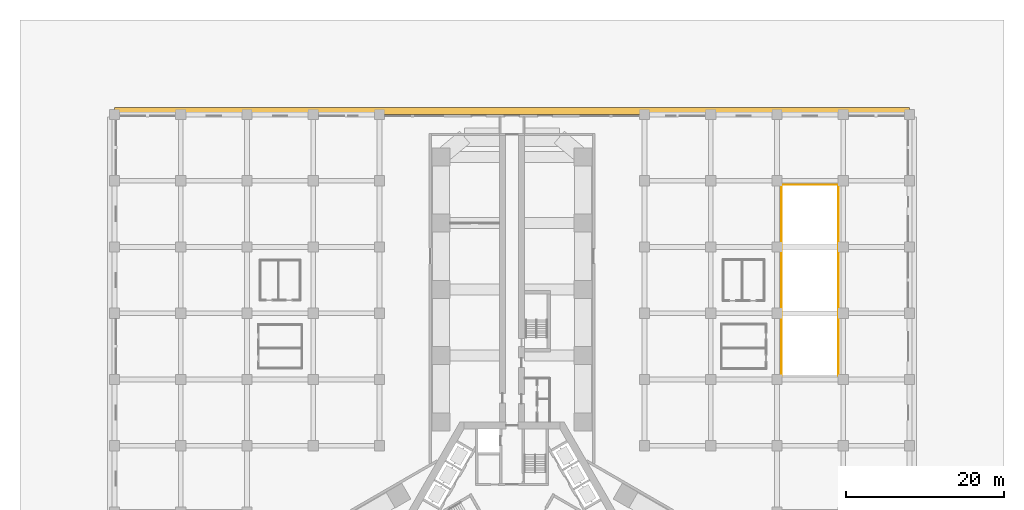
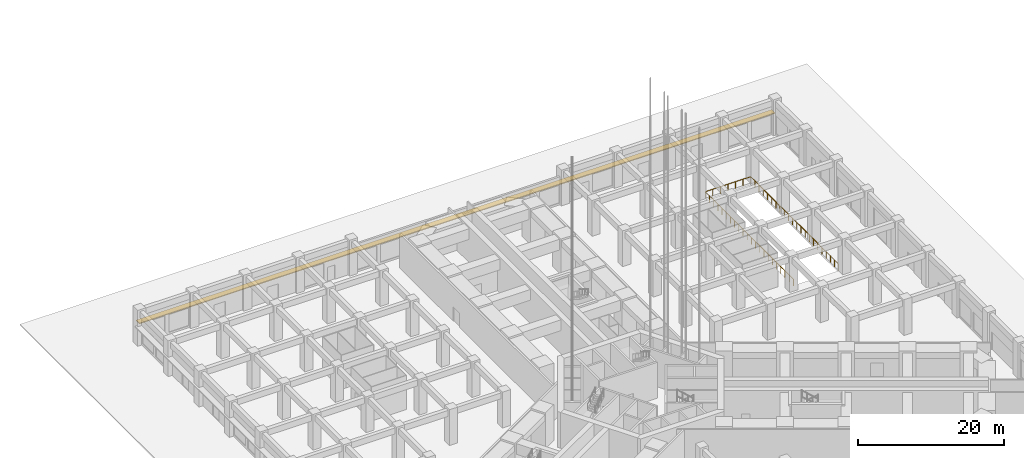
# One storey, part 20 of 33: 1 railing, 1 shading device.
"""IFC4 building model written with IfcOpenShell, lengths in metres."""

from ifc_helpers import new_model, si_unit, direction, frame, origin, origin_2d, place, context, subcontext, project, spatial, rectangle, circle, extrude, material, layer, layer_set, type_object, element, save


model = new_model("IFC4")

# Units and contexts
model_context = context("Model", 3, precision=1e-05, world=origin(), true_north=direction((0.0, 1.0)))
body_context = subcontext(model_context, "Body", "Model", "MODEL_VIEW")
ifc_project = project(units=[si_unit("LENGTHUNIT", "METRE"), si_unit("AREAUNIT", "SQUARE_METRE"), si_unit("VOLUMEUNIT", "CUBIC_METRE"), si_unit("PLANEANGLEUNIT", "RADIAN"), si_unit("MASSUNIT", "GRAM", prefix="KILO")], contexts=[model_context])

# Site, building, storey
site_placement = place(None, origin())
site = spatial("IfcSite", under=ifc_project, at=site_placement, CompositionType="ELEMENT")
building_placement = place(site_placement, origin())
building = spatial("IfcBuilding", under=site, at=building_placement, Name="Impinga Residences", CompositionType="ELEMENT")
storey_placement = place(building_placement, origin())
storey = spatial("IfcBuildingStorey", under=building, at=storey_placement, Name="L00", CompositionType="ELEMENT", Elevation=0.0)

# Railing
ifc_material_1 = material(Name="Steel guard, galvanised", Category="steel")
railing_type = type_object("IfcRailingType", Name="GR2 ramp and opening guard 1100", PredefinedType="GUARDRAIL", material=ifc_material_1)
railing_placement = place(storey_placement, frame((34.199951171875, 17.300048828125, 0.0)))
element("IfcRailing", 1, at=railing_placement, inside=storey, type_object=railing_type, Name="Opening guard GR2 L00", PredefinedType="GUARDRAIL", context=body_context, shape_type="SweptSolid", body=[
    extrude(circle(Radius=0.02392578125, at=origin_2d()), frame((0.0, 0.0, 1.076171875), z_axis=(0.0, 1.0, 0.0), x_axis=(-1.0, 0.0, 0.0)), (0.0, 0.0, 1.0), 24.199951171875),
    extrude(circle(Radius=0.02392578125, at=origin_2d()), frame((0.0, 24.199951171875, 1.076171875), z_axis=(1.0, 0.0, 0.0), x_axis=(0.0, 1.0, 0.0)), (0.0, 0.0, 1.0), 7.199951171875),
    extrude(circle(Radius=0.02392578125, at=origin_2d()), frame((7.199951171875, 24.199951171875, 1.076171875), z_axis=(0.0, -1.0, 0.0), x_axis=(1.0, 0.0, 0.0)), (0.0, 0.0, 1.0), 24.199951171875),
    extrude(circle(Radius=0.02099609375, at=origin_2d()), origin(), (0.0, 0.0, 1.0), 1.052001953125),
    extrude(circle(Radius=0.02099609375, at=origin_2d()), frame((0.0, 1.15234375, 0.0)), (0.0, 0.0, 1.0), 1.052001953125),
    extrude(circle(Radius=0.02099609375, at=origin_2d()), frame((0.0, 2.3046875, 0.0)), (0.0, 0.0, 1.0), 1.052001953125),
    extrude(circle(Radius=0.02099609375, at=origin_2d()), frame((0.0, 3.45703125, 0.0)), (0.0, 0.0, 1.0), 1.052001953125),
    extrude(circle(Radius=0.02099609375, at=origin_2d()), frame((0.0, 4.609619140625, 0.0)), (0.0, 0.0, 1.0), 1.052001953125),
    extrude(circle(Radius=0.02099609375, at=origin_2d()), frame((0.0, 5.761962890625, 0.0)), (0.0, 0.0, 1.0), 1.052001953125),
    extrude(circle(Radius=0.02099609375, at=origin_2d()), frame((0.0, 6.914306640625, 0.0)), (0.0, 0.0, 1.0), 1.052001953125),
    extrude(circle(Radius=0.02099609375, at=origin_2d()), frame((0.0, 8.066650390625, 0.0)), (0.0, 0.0, 1.0), 1.052001953125),
    extrude(circle(Radius=0.02099609375, at=origin_2d()), frame((0.0, 9.218994140625, 0.0)), (0.0, 0.0, 1.0), 1.052001953125),
    extrude(circle(Radius=0.02099609375, at=origin_2d()), frame((0.0, 10.371337890625, 0.0)), (0.0, 0.0, 1.0), 1.052001953125),
    extrude(circle(Radius=0.02099609375, at=origin_2d()), frame((0.0, 11.523681640625, 0.0)), (0.0, 0.0, 1.0), 1.052001953125),
    extrude(circle(Radius=0.02099609375, at=origin_2d()), frame((0.0, 12.67626953125, 0.0)), (0.0, 0.0, 1.0), 1.052001953125),
    extrude(circle(Radius=0.02099609375, at=origin_2d()), frame((0.0, 13.82861328125, 0.0)), (0.0, 0.0, 1.0), 1.052001953125),
    extrude(circle(Radius=0.02099609375, at=origin_2d()), frame((0.0, 14.98095703125, 0.0)), (0.0, 0.0, 1.0), 1.052001953125),
    extrude(circle(Radius=0.02099609375, at=origin_2d()), frame((0.0, 16.13330078125, 0.0)), (0.0, 0.0, 1.0), 1.052001953125),
    extrude(circle(Radius=0.02099609375, at=origin_2d()), frame((0.0, 17.28564453125, 0.0)), (0.0, 0.0, 1.0), 1.052001953125),
    extrude(circle(Radius=0.02099609375, at=origin_2d()), frame((0.0, 18.43798828125, 0.0)), (0.0, 0.0, 1.0), 1.052001953125),
    extrude(circle(Radius=0.02099609375, at=origin_2d()), frame((0.0, 19.59033203125, 0.0)), (0.0, 0.0, 1.0), 1.052001953125),
    extrude(circle(Radius=0.02099609375, at=origin_2d()), frame((0.0, 20.742919921875, 0.0)), (0.0, 0.0, 1.0), 1.052001953125),
    extrude(circle(Radius=0.02099609375, at=origin_2d()), frame((0.0, 21.895263671875, 0.0)), (0.0, 0.0, 1.0), 1.052001953125),
    extrude(circle(Radius=0.02099609375, at=origin_2d()), frame((0.0, 23.047607421875, 0.0)), (0.0, 0.0, 1.0), 1.052001953125),
    extrude(circle(Radius=0.02099609375, at=origin_2d()), frame((0.0, 24.199951171875, 0.0)), (0.0, 0.0, 1.0), 1.052001953125),
    extrude(circle(Radius=0.02099609375, at=origin_2d()), frame((1.199951171875, 24.199951171875, 0.0)), (0.0, 0.0, 1.0), 1.052001953125),
    extrude(circle(Radius=0.02099609375, at=origin_2d()), frame((2.39990234375, 24.199951171875, 0.0)), (0.0, 0.0, 1.0), 1.052001953125),
    extrude(circle(Radius=0.02099609375, at=origin_2d()), frame((3.60009765625, 24.199951171875, 0.0)), (0.0, 0.0, 1.0), 1.052001953125),
    extrude(circle(Radius=0.02099609375, at=origin_2d()), frame((4.800048828125, 24.199951171875, 0.0)), (0.0, 0.0, 1.0), 1.052001953125),
    extrude(circle(Radius=0.02099609375, at=origin_2d()), frame((6.0, 24.199951171875, 0.0)), (0.0, 0.0, 1.0), 1.052001953125),
    extrude(circle(Radius=0.02099609375, at=origin_2d()), frame((7.199951171875, 24.199951171875, 0.0)), (0.0, 0.0, 1.0), 1.052001953125),
    extrude(circle(Radius=0.02099609375, at=origin_2d()), frame((7.199951171875, 23.047607421875, 0.0)), (0.0, 0.0, 1.0), 1.052001953125),
    extrude(circle(Radius=0.02099609375, at=origin_2d()), frame((7.199951171875, 21.895263671875, 0.0)), (0.0, 0.0, 1.0), 1.052001953125),
    extrude(circle(Radius=0.02099609375, at=origin_2d()), frame((7.199951171875, 20.742919921875, 0.0)), (0.0, 0.0, 1.0), 1.052001953125),
    extrude(circle(Radius=0.02099609375, at=origin_2d()), frame((7.199951171875, 19.59033203125, 0.0)), (0.0, 0.0, 1.0), 1.052001953125),
    extrude(circle(Radius=0.02099609375, at=origin_2d()), frame((7.199951171875, 18.43798828125, 0.0)), (0.0, 0.0, 1.0), 1.052001953125),
    extrude(circle(Radius=0.02099609375, at=origin_2d()), frame((7.199951171875, 17.28564453125, 0.0)), (0.0, 0.0, 1.0), 1.052001953125),
    extrude(circle(Radius=0.02099609375, at=origin_2d()), frame((7.199951171875, 16.13330078125, 0.0)), (0.0, 0.0, 1.0), 1.052001953125),
    extrude(circle(Radius=0.02099609375, at=origin_2d()), frame((7.199951171875, 14.98095703125, 0.0)), (0.0, 0.0, 1.0), 1.052001953125),
    extrude(circle(Radius=0.02099609375, at=origin_2d()), frame((7.199951171875, 13.82861328125, 0.0)), (0.0, 0.0, 1.0), 1.052001953125),
    extrude(circle(Radius=0.02099609375, at=origin_2d()), frame((7.199951171875, 12.67626953125, 0.0)), (0.0, 0.0, 1.0), 1.052001953125),
    extrude(circle(Radius=0.02099609375, at=origin_2d()), frame((7.199951171875, 11.523681640625, 0.0)), (0.0, 0.0, 1.0), 1.052001953125),
    extrude(circle(Radius=0.02099609375, at=origin_2d()), frame((7.199951171875, 10.371337890625, 0.0)), (0.0, 0.0, 1.0), 1.052001953125),
    extrude(circle(Radius=0.02099609375, at=origin_2d()), frame((7.199951171875, 9.218994140625, 0.0)), (0.0, 0.0, 1.0), 1.052001953125),
    extrude(circle(Radius=0.02099609375, at=origin_2d()), frame((7.199951171875, 8.066650390625, 0.0)), (0.0, 0.0, 1.0), 1.052001953125),
    extrude(circle(Radius=0.02099609375, at=origin_2d()), frame((7.199951171875, 6.914306640625, 0.0)), (0.0, 0.0, 1.0), 1.052001953125),
    extrude(circle(Radius=0.02099609375, at=origin_2d()), frame((7.199951171875, 5.761962890625, 0.0)), (0.0, 0.0, 1.0), 1.052001953125),
    extrude(circle(Radius=0.02099609375, at=origin_2d()), frame((7.199951171875, 4.609619140625, 0.0)), (0.0, 0.0, 1.0), 1.052001953125),
    extrude(circle(Radius=0.02099609375, at=origin_2d()), frame((7.199951171875, 3.45703125, 0.0)), (0.0, 0.0, 1.0), 1.052001953125),
    extrude(circle(Radius=0.02099609375, at=origin_2d()), frame((7.199951171875, 2.3046875, 0.0)), (0.0, 0.0, 1.0), 1.052001953125),
    extrude(circle(Radius=0.02099609375, at=origin_2d()), frame((7.199951171875, 1.15234375, 0.0)), (0.0, 0.0, 1.0), 1.052001953125),
    extrude(circle(Radius=0.02099609375, at=origin_2d()), frame((7.199951171875, 0.0, 0.0)), (0.0, 0.0, 1.0), 1.052001953125),
])

# Shading device
ifc_material_2 = material(Name="Terracotta sunshade blades on aluminium brackets", Category="masonry")
ifc_layer = layer(ifc_material_2, 0.14990234375)
ifc_layer_set = layer_set([ifc_layer], Name="SS1 SUNSHADE terracotta sunshade band 900")
shading_device_type = type_object("IfcShadingDeviceType", Name="SS1 SUNSHADE terracotta sunshade band 900", PredefinedType="USERDEFINED", material=ifc_layer_set)
shading_device_placement = place(storey_placement, frame((0.0, 50.85009765625, 3.10009765625), z_axis=(0.0, 0.0, 1.0), x_axis=(1.0, 0.0, 0.0)))
element("IfcShadingDevice", 2, at=shading_device_placement, inside=storey, type_object=shading_device_type, Name="SUNSHADE band L00 NORTH WING", ObjectType="SUNSHADE", PredefinedType="USERDEFINED", context=body_context, shape_type="SweptSolid", body=[
    extrude(rectangle(XDim=100.800048828125, YDim=0.89990234375, at=origin_2d()), origin(), (0.0, 0.0, 1.0), 0.14990234375),
])

save(model, "model.ifc")
